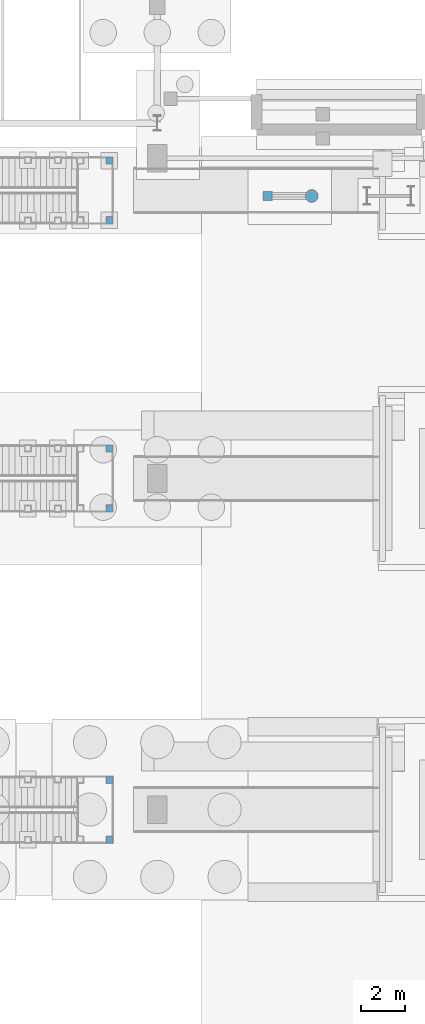
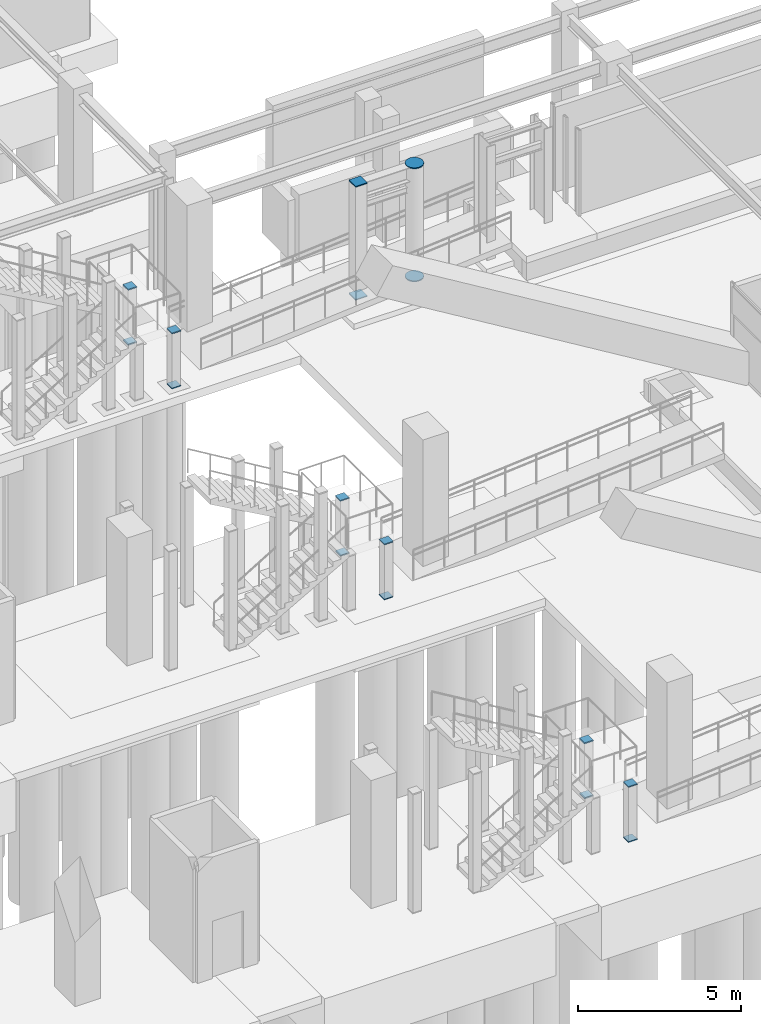
# One storey, part 141 of 160: 16 discrete accessories.
"""IFC4 building model written with IfcOpenShell, lengths in metres."""

from ifc_helpers import new_model, si_unit, direction, frame, origin, origin_2d, place, context, subcontext, project, spatial, rectangle, circle, extrude, material, element, save


model = new_model("IFC4")

# Units and contexts
model_context = context("Model", 3, precision=1e-05, world=origin(), true_north=direction((0.0, 1.0)))
body_context = subcontext(model_context, "Body", "Model", "MODEL_VIEW")
ifc_project = project(units=[si_unit("LENGTHUNIT", "METRE"), si_unit("AREAUNIT", "SQUARE_METRE"), si_unit("VOLUMEUNIT", "CUBIC_METRE"), si_unit("PLANEANGLEUNIT", "RADIAN"), si_unit("MASSUNIT", "GRAM", prefix="KILO")], contexts=[model_context])

# Site, building, storey
site_placement = place(None, origin())
site = spatial("IfcSite", under=ifc_project, at=site_placement, CompositionType="ELEMENT")
building_placement = place(site_placement, origin())
building = spatial("IfcBuilding", under=site, at=building_placement, Name="Marlcrest Central Station", CompositionType="ELEMENT")
storey_placement = place(building_placement, origin())
storey = spatial("IfcBuildingStorey", under=building, at=storey_placement, Name="L00", CompositionType="ELEMENT", Elevation=0.0)

# Discrete accessories
ifc_material = material(Name="Steel S355", Category="steel")
for number, where, z_axis, x_axis, name in (
    (1, (134.0, 93.800048828125, 0.18505859375), (0.0, 0.0, 1.0), (1.0, 0.0, 0.0), "endcap-col-SC-21-L00-0939-s"),
    (2, (134.0, 93.800048828125, 4.425048828125), (0.0, 0.0, 1.0), (1.0, 0.0, 0.0), "endcap-col-SC-21-L00-0939-e"),
):
    element("IfcDiscreteAccessory", number, at=place(storey_placement, frame(where, z_axis=z_axis, x_axis=x_axis)), inside=storey, material=ifc_material, Name=name, ObjectType="END_CAP_PLATE", PredefinedType="BRACKET", context=body_context, shape_type="SweptSolid", body=[
        extrude(rectangle(XDim=0.416015625, YDim=0.416015625, at=origin_2d()), origin(), (0.0, 0.0, 1.0), 0.0400390625),
    ])
for number, where, z_axis, x_axis, name in (
    (3, (136.0, 93.800048828125, 0.18505859375), (0.0, 0.0, 1.0), (1.0, 0.0, 0.0), "endcap-col-SC-22-L00-0940-s"),
    (4, (136.0, 93.800048828125, 4.425048828125), (0.0, 0.0, 1.0), (1.0, 0.0, 0.0), "endcap-col-SC-22-L00-0940-e"),
):
    element("IfcDiscreteAccessory", number, at=place(storey_placement, frame(where, z_axis=z_axis, x_axis=x_axis)), inside=storey, material=ifc_material, Name=name, ObjectType="END_CAP_PLATE", PredefinedType="BRACKET", context=body_context, shape_type="SweptSolid", body=[
        extrude(circle(Radius=0.28759765625, at=origin_2d()), origin(), (0.0, 0.0, 1.0), 0.0400390625),
    ])
for number, where, z_axis, x_axis, name in (
    (5, (126.830078125, 64.64990234375, -0.014892578125), (0.0, 0.0, 1.0), (1.0, 0.0, 0.0), "endcap-stcol-0017-1268-646-s"),
    (6, (126.830078125, 64.64990234375, 2.05517578125), (0.0, 0.0, 1.0), (1.0, 0.0, 0.0), "endcap-stcol-0017-1268-646-e"),
    (7, (126.830078125, 67.35009765625, -0.014892578125), (0.0, 0.0, 1.0), (1.0, 0.0, 0.0), "endcap-stcol-0017-1268-673-s"),
    (8, (126.830078125, 67.35009765625, 2.05517578125), (0.0, 0.0, 1.0), (1.0, 0.0, 0.0), "endcap-stcol-0017-1268-673-e"),
    (9, (126.830078125, 79.64990234375, -0.014892578125), (0.0, 0.0, 1.0), (1.0, 0.0, 0.0), "endcap-stcol-0023-1268-796-s"),
    (10, (126.830078125, 79.64990234375, 2.05517578125), (0.0, 0.0, 1.0), (1.0, 0.0, 0.0), "endcap-stcol-0023-1268-796-e"),
    (11, (126.830078125, 82.35009765625, -0.014892578125), (0.0, 0.0, 1.0), (1.0, 0.0, 0.0), "endcap-stcol-0023-1268-823-s"),
    (12, (126.830078125, 82.35009765625, 2.05517578125), (0.0, 0.0, 1.0), (1.0, 0.0, 0.0), "endcap-stcol-0023-1268-823-e"),
    (13, (126.830078125, 92.699951171875, -0.014892578125), (0.0, 0.0, 1.0), (1.0, 0.0, 0.0), "endcap-stcol-0029-1268-927-s"),
    (14, (126.830078125, 92.699951171875, 2.05517578125), (0.0, 0.0, 1.0), (1.0, 0.0, 0.0), "endcap-stcol-0029-1268-927-e"),
    (15, (126.830078125, 95.39990234375, -0.014892578125), (0.0, 0.0, 1.0), (1.0, 0.0, 0.0), "endcap-stcol-0029-1268-954-s"),
    (16, (126.830078125, 95.39990234375, 2.05517578125), (0.0, 0.0, 1.0), (1.0, 0.0, 0.0), "endcap-stcol-0029-1268-954-e"),
):
    element("IfcDiscreteAccessory", number, at=place(storey_placement, frame(where, z_axis=z_axis, x_axis=x_axis)), inside=storey, material=ifc_material, Name=name, ObjectType="END_CAP_PLATE", PredefinedType="BRACKET", context=body_context, shape_type="SweptSolid", body=[
        extrude(rectangle(XDim=0.31591796875, YDim=0.31591796875, at=origin_2d()), origin(), (0.0, 0.0, 1.0), 0.0400390625),
    ])

save(model, "model.ifc")
